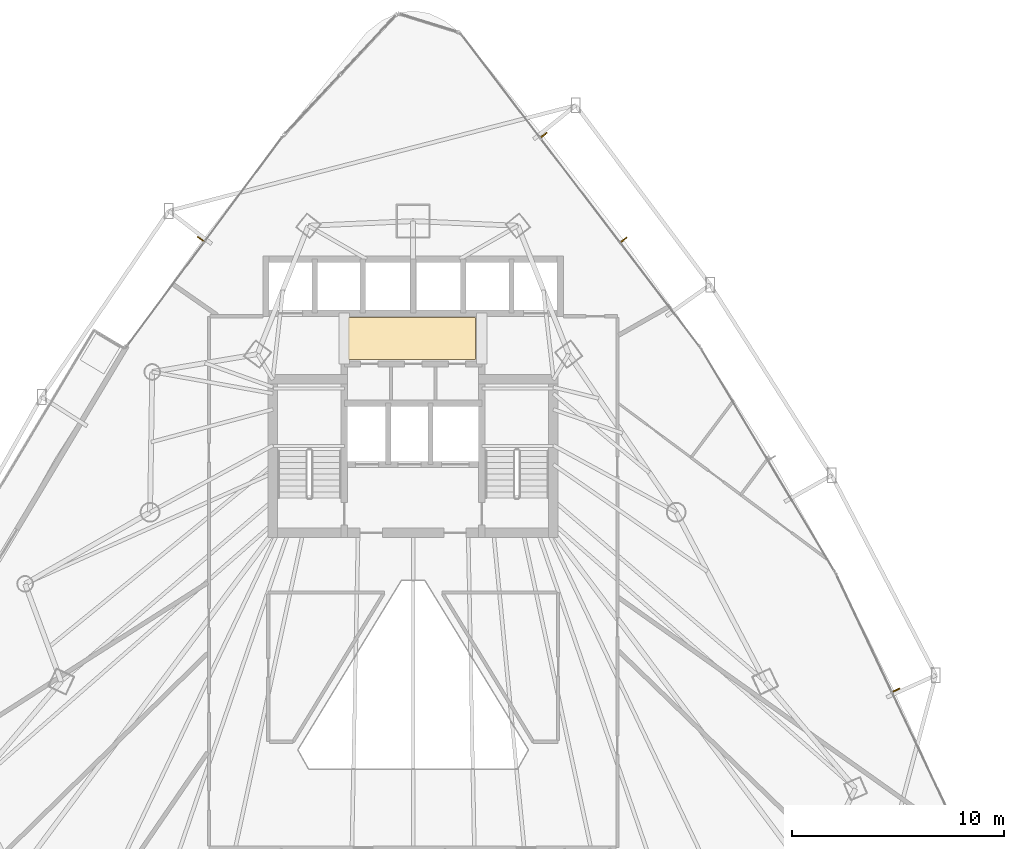
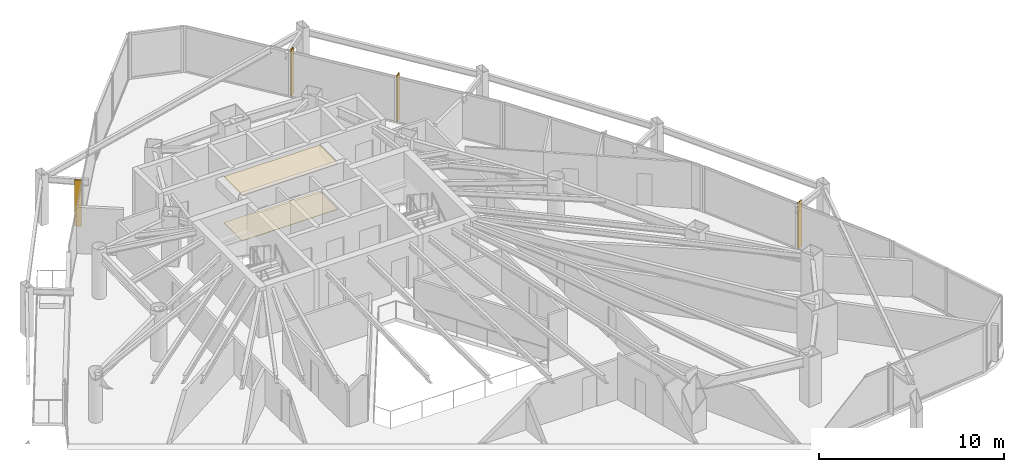
# One storey, part 34 of 34: 4 shading devices, 2 coverings.
"""IFC4 building model written with IfcOpenShell, lengths in metres."""

from ifc_helpers import new_model, si_unit, direction, frame, origin, origin_2d, place, context, subcontext, project, spatial, polyline, rectangle, outline, extrude, material, layer, layer_set, type_object, element, save


model = new_model("IFC4")

# Units and contexts
model_context = context("Model", 3, precision=1e-05, world=origin(), true_north=direction((0.0, 1.0)))
body_context = subcontext(model_context, "Body", "Model", "MODEL_VIEW")
ifc_project = project(units=[si_unit("LENGTHUNIT", "METRE"), si_unit("AREAUNIT", "SQUARE_METRE"), si_unit("VOLUMEUNIT", "CUBIC_METRE"), si_unit("PLANEANGLEUNIT", "RADIAN"), si_unit("MASSUNIT", "GRAM", prefix="KILO")], contexts=[model_context])

# Site, building, storey
site_placement = place(None, origin())
site = spatial("IfcSite", under=ifc_project, at=site_placement, CompositionType="ELEMENT")
building_placement = place(site_placement, origin())
building = spatial("IfcBuilding", under=site, at=building_placement, Name="Orvanel Arch Residences", CompositionType="ELEMENT")
storey_placement = place(building_placement, frame((0.0, 0.0, 67.550048828125)))
storey = spatial("IfcBuildingStorey", under=building, at=storey_placement, Name="L18", CompositionType="ELEMENT", Elevation=67.550048828125)

# Coverings
ifc_material_1 = material(Name="Perforated acoustic mineral-fibre ceiling tile", Category="gypsum")
ifc_layer_1 = layer(ifc_material_1, 0.034912109375)
ifc_layer_set_1 = layer_set([ifc_layer_1], Name="Perforated acoustic mineral-fibre ceiling tile")
covering_type_1 = type_object("IfcCoveringType", Name="COV-CLG-ACS35", PredefinedType="CEILING", material=ifc_layer_set_1)
covering_1_placement = place(storey_placement, frame((0.0, 0.0, 3.02490234375)))
element("IfcCovering", 1, at=covering_1_placement, inside=storey, type_object=covering_type_1, Name="L18 Lift Lobby Acoustic Ceiling", PredefinedType="CEILING", context=body_context, shape_type="SweptSolid", body=[
    extrude(outline(polyline([(29.949951171875, 34.85009765625), (35.949951171875, 34.85009765625), (35.949951171875, 36.85009765625), (29.949951171875, 36.85009765625), (29.949951171875, 34.85009765625)])), origin(), (0.0, 0.0, 1.0), 0.03515625),
])
ifc_material_2 = material(Name="Honed cementitious terrazzo floor finish", Category="concrete")
ifc_layer_2 = layer(ifc_material_2, 0.02490234375)
ifc_layer_set_2 = layer_set([ifc_layer_2], Name="Honed cementitious terrazzo floor finish")
covering_type_2 = type_object("IfcCoveringType", Name="COV-FLR-TRZ25", PredefinedType="FLOORING", material=ifc_layer_set_2)
covering_2_placement = place(storey_placement, origin())
element("IfcCovering", 2, at=covering_2_placement, inside=storey, type_object=covering_type_2, Name="L18 Lift Lobby Terrazzo Flooring", PredefinedType="FLOORING", context=body_context, shape_type="SweptSolid", body=[
    extrude(outline(polyline([(29.949951171875, 34.85009765625), (35.949951171875, 34.85009765625), (35.949951171875, 36.85009765625), (29.949951171875, 36.85009765625), (29.949951171875, 34.85009765625)])), origin(), (0.0, 0.0, 1.0), 0.02490234375),
])

# Shading devices
ifc_material_3 = material(Name="Bronze-anodised aluminium AA6063-T6", Category="aluminium")
ifc_layer_3 = layer(ifc_material_3, 0.06005859375)
ifc_layer_set_3 = layer_set([ifc_layer_3], Name="Bronze-anodised aluminium AA6063-T6")
shading_device_type = type_object("IfcShadingDeviceType", Name="FIN-BRZ-380", PredefinedType="USERDEFINED", material=ifc_layer_set_3)
for number, where, z_axis, x_axis, name in (
    (3, (22.964111328125, 40.551025390625, 0.0), (0.0, 0.0, 1.0), (-0.802817475191, 0.596224874966, 0.0), "L18 Anodised Bronze Mullion FIN 01"),
    (4, (55.822021484375, 19.236083984375, 0.0), (0.0, 0.0, 1.0), (0.904082549661, 0.427357863387, 0.0), "L18 Anodised Bronze Mullion FIN 01"),
    (5, (42.9580078125, 40.51611328125, 0.0), (0.0, 0.0, 1.0), (0.794414620535, 0.607375839723, 0.0), "L18 Anodised Bronze Mullion FIN 01"),
    (6, (39.178955078125, 45.467041015625, 0.0), (0.0, 0.0, 1.0), (0.794414620535, 0.607375839723, 0.0), "L18 Anodised Bronze Mullion FIN 02"),
):
    element("IfcShadingDevice", number, at=place(storey_placement, frame(where, z_axis=z_axis, x_axis=x_axis)), inside=storey, type_object=shading_device_type, Name=name, ObjectType="FIN", PredefinedType="USERDEFINED", context=body_context, shape_type="SweptSolid", body=[
        extrude(rectangle(XDim=0.3798828125, YDim=0.06005859375, at=origin_2d()), origin(), (0.0, 0.0, 1.0), 3.06005859375),
    ])

save(model, "model.ifc")
